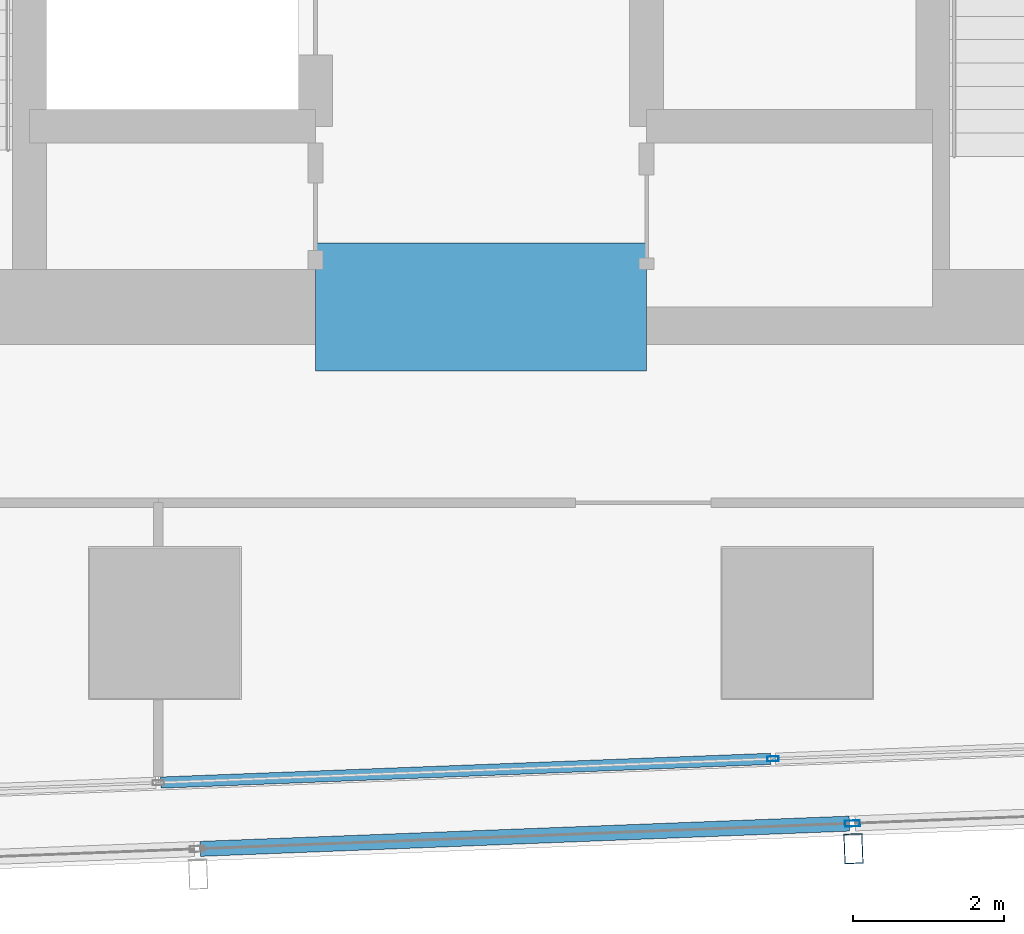
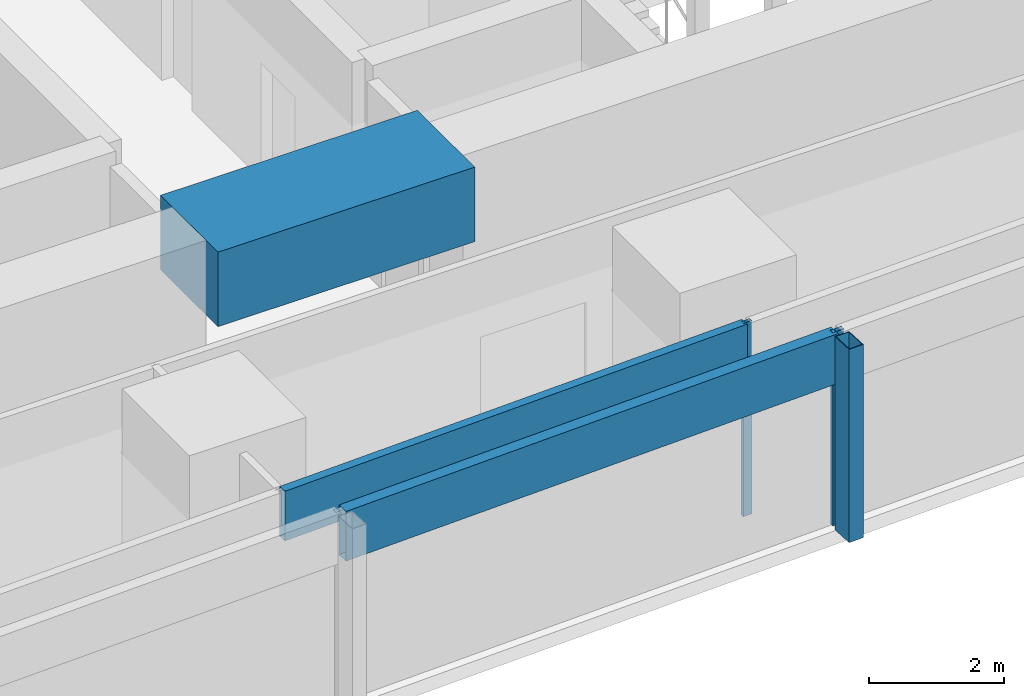
# One storey, part 6 of 36: 5 members, 1 beam, 2 elements without a shape of their own.
"""IFC4 building model written with IfcOpenShell, lengths in metres."""

from ifc_helpers import new_model, si_unit, direction, frame, origin, origin_2d, place, context, subcontext, project, spatial, rectangle, hollow_rectangle, extrude, material, material_profile, profile_set, type_object, element, aggregate, save


model = new_model("IFC4")

# Units and contexts
model_context = context("Model", 3, precision=1e-05, world=origin(), true_north=direction((0.0, 1.0)))
body_context = subcontext(model_context, "Body", "Model", "MODEL_VIEW")
ifc_project = project(units=[si_unit("LENGTHUNIT", "METRE"), si_unit("AREAUNIT", "SQUARE_METRE"), si_unit("VOLUMEUNIT", "CUBIC_METRE"), si_unit("PLANEANGLEUNIT", "RADIAN"), si_unit("MASSUNIT", "GRAM", prefix="KILO")], contexts=[model_context])

# Site, building, storey
site_placement = place(None, origin())
site = spatial("IfcSite", under=ifc_project, at=site_placement, CompositionType="ELEMENT")
building_placement = place(site_placement, origin())
building = spatial("IfcBuilding", under=site, at=building_placement, Name="Rekha Terrace Tower", CompositionType="ELEMENT")
storey_placement = place(building_placement, frame((0.0, 0.0, 144.050048828125)))
storey = spatial("IfcBuildingStorey", under=building, at=storey_placement, Name="L36", CompositionType="ELEMENT", Elevation=144.050048828125)

# Curtain wall, member
ifc_material_1 = material(Name="Aluminium framing", Category="aluminium")
curtain_wall_type_1 = type_object("IfcCurtainWallType", Name="CW2 double skin outer glazing", PredefinedType="USERDEFINED", material=ifc_material_1)
curtain_wall_1_placement = place(storey_placement, origin())
curtain_wall_1 = element("IfcCurtainWall", 1, at=curtain_wall_1_placement, inside=storey, type_object=curtain_wall_type_1, Name="CW2 double skin outer glazing", ObjectType="DOUBLE SKIN OUTER GLAZING", PredefinedType="USERDEFINED")
ifc_material_2 = material(Name="Steel S355 with fluorocarbon finish", Category="steel")
ifc_material_profile_1 = material_profile(ifc_material_2, hollow_rectangle(XDim=0.25, YDim=0.39990234375, WallThickness=0.012451171875, at=origin_2d()), Name="RHS400x250x12.5")
ifc_profile_set_1 = profile_set([ifc_material_profile_1], Name="Steel S355 with fluorocarbon finish")
member_type_1 = type_object("IfcMemberType", Name="BL1 facade blade RHS 400 x 250", PredefinedType="USERDEFINED", material=ifc_profile_set_1)
member_1_placement = place(storey_placement, frame((42.747314453125, 13.802978515625, 0.0), z_axis=(0.0, 0.0, 1.0), x_axis=(0.999243494356, 0.038890088543, 0.0)))
member_1 = element("IfcMember", 2, at=member_1_placement, type_object=member_type_1, Name="Facade blade", ObjectType="FACADE BLADE", PredefinedType="USERDEFINED", context=body_context, shape_type="SweptSolid", body=[
    extrude(hollow_rectangle(XDim=0.25, YDim=0.39990234375, WallThickness=0.012451171875, at=origin_2d()), origin(), (0.0, 0.0, 1.0), 3.5),
])

# Curtain wall, members
curtain_wall_type_2 = type_object("IfcCurtainWallType", Name="CW1 double skin inner glazing", PredefinedType="USERDEFINED", material=ifc_material_1)
curtain_wall_2_placement = place(storey_placement, origin())
curtain_wall_2 = element("IfcCurtainWall", 3, at=curtain_wall_2_placement, inside=storey, type_object=curtain_wall_type_2, Name="CW1 double skin inner glazing", ObjectType="DOUBLE SKIN INNER GLAZING", PredefinedType="USERDEFINED")
ifc_material_3 = material(Name="Aluminium mullion section", Category="aluminium")
ifc_material_profile_2 = material_profile(ifc_material_3, hollow_rectangle(XDim=0.06494140625, YDim=0.14990234375, WallThickness=0.00390625, at=origin_2d()), Name="AL RHS 65x150")
ifc_profile_set_2 = profile_set([ifc_material_profile_2], Name="Aluminium mullion section")
member_type_2 = type_object("IfcMemberType", Name="CW1 mullion RHS 65 x 150", PredefinedType="MULLION", material=ifc_profile_set_2)
member_2_placement = place(storey_placement, frame((41.678955078125, 14.99755859375, 0.0), z_axis=(0.0, 0.0, 1.0), x_axis=(-0.038889971328, 0.999243498918, 0.0)))
member_2 = element("IfcMember", 4, at=member_2_placement, type_object=member_type_2, Name="CW1 mullion 3", PredefinedType="MULLION", context=body_context, shape_type="SweptSolid", body=[
    extrude(hollow_rectangle(XDim=0.06494140625, YDim=0.14990234375, WallThickness=0.00390625, at=origin_2d()), origin(), (0.0, 0.0, 1.0), 3.5),
])
ifc_material_4 = material(Name="Insulated aluminium spandrel box", Category="aluminium")
ifc_material_profile_3 = material_profile(ifc_material_4, hollow_rectangle(XDim=0.14990234375, YDim=0.89990234375, WallThickness=0.0029296875, at=origin_2d()), Name="AL SPANDREL BOX 150x900")
ifc_profile_set_3 = profile_set([ifc_material_profile_3], Name="Insulated aluminium spandrel box")
member_type_3 = type_object("IfcMemberType", Name="CW1 spandrel transom 150 x 900", PredefinedType="USERDEFINED", material=ifc_profile_set_3)
member_3_placement = place(storey_placement, frame((33.545654296875, 14.680908203125, 3.050048828125), z_axis=(0.999242779109, 0.038908461789, 0.0), x_axis=(-0.038908461789, 0.999242779109, 0.0)))
member_3 = element("IfcMember", 5, at=member_3_placement, type_object=member_type_3, Name="CW1 spandrel transom 2", ObjectType="TRANSOM", PredefinedType="USERDEFINED", context=body_context, shape_type="SweptSolid", body=[
    extrude(hollow_rectangle(XDim=0.14990234375, YDim=0.89990234375, WallThickness=0.0029296875, at=origin_2d()), origin(), (0.0, 0.0, 1.0), 8.10693359375),
])
aggregate(curtain_wall_2, [member_2, member_3])

# Member
ifc_material_profile_4 = material_profile(ifc_material_3, hollow_rectangle(XDim=0.080078125, YDim=0.199951171875, WallThickness=0.00390625, at=origin_2d()), Name="AL RHS 80x200")
ifc_profile_set_4 = profile_set([ifc_material_profile_4], Name="Aluminium mullion section")
member_type_4 = type_object("IfcMemberType", Name="CW2 mullion RHS 80 x 200", PredefinedType="MULLION", material=ifc_profile_set_4)
member_4_placement = place(storey_placement, frame((42.734130859375, 14.137939453125, 0.0), z_axis=(0.0, 0.0, 1.0), x_axis=(-0.038889971345, 0.999243498917, 0.0)))
member_4 = element("IfcMember", 6, at=member_4_placement, type_object=member_type_4, Name="CW2 mullion 3", PredefinedType="MULLION", context=body_context, shape_type="SweptSolid", body=[
    extrude(hollow_rectangle(XDim=0.080078125, YDim=0.199951171875, WallThickness=0.00390625, at=origin_2d()), origin(), (0.0, 0.0, 1.0), 3.5),
])

ifc_material_profile_5 = material_profile(ifc_material_4, hollow_rectangle(XDim=0.199951171875, YDim=0.89990234375, WallThickness=0.0029296875, at=origin_2d()), Name="AL SPANDREL BOX 200x900")
ifc_profile_set_5 = profile_set([ifc_material_profile_5], Name="Insulated aluminium spandrel box")
member_type_5 = type_object("IfcMemberType", Name="CW2 spandrel transom 200 x 900", PredefinedType="USERDEFINED", material=ifc_profile_set_5)
member_5_placement = place(storey_placement, frame((34.069091796875, 13.800537109375, 3.050048828125), z_axis=(0.999243438523, 0.038891523097, 0.0), x_axis=(-0.038891523097, 0.999243438523, 0.0)))
member_5 = element("IfcMember", 7, at=member_5_placement, type_object=member_type_5, Name="CW2 spandrel transom 2", ObjectType="TRANSOM", PredefinedType="USERDEFINED", context=body_context, shape_type="SweptSolid", body=[
    extrude(hollow_rectangle(XDim=0.199951171875, YDim=0.89990234375, WallThickness=0.0029296875, at=origin_2d()), origin(), (0.0, 0.0, 1.0), 8.631591796875),
])

aggregate(curtain_wall_1, [member_4, member_5, member_1])

# Beam
ifc_material_5 = material(Name="Concrete M70", Category="concrete")
ifc_material_profile_6 = material_profile(ifc_material_5, rectangle(XDim=1.699951171875, YDim=1.35009765625, at=origin_2d()), Name="RC 1700x1350")
ifc_profile_set_6 = profile_set([ifc_material_profile_6], Name="Concrete M70")
beam_type = type_object("IfcBeamType", Name="LB2A 1700x1350 diagonally reinforced coupling beam", PredefinedType="LINTEL", material=ifc_profile_set_6)
beam_placement = place(storey_placement, frame((35.60009765625, 21.0, 3.074951171875), z_axis=(1.0, 0.0, 0.0), x_axis=(0.0, 1.0, 0.0)))
element("IfcBeam", 8, at=beam_placement, inside=storey, type_object=beam_type, Name="Coupling beam LB2A S L36", PredefinedType="LINTEL", context=body_context, shape_type="SweptSolid", body=[
    extrude(rectangle(XDim=1.699951171875, YDim=1.35009765625, at=origin_2d()), origin(), (0.0, 0.0, 1.0), 4.39990234375),
])

save(model, "model.ifc")
